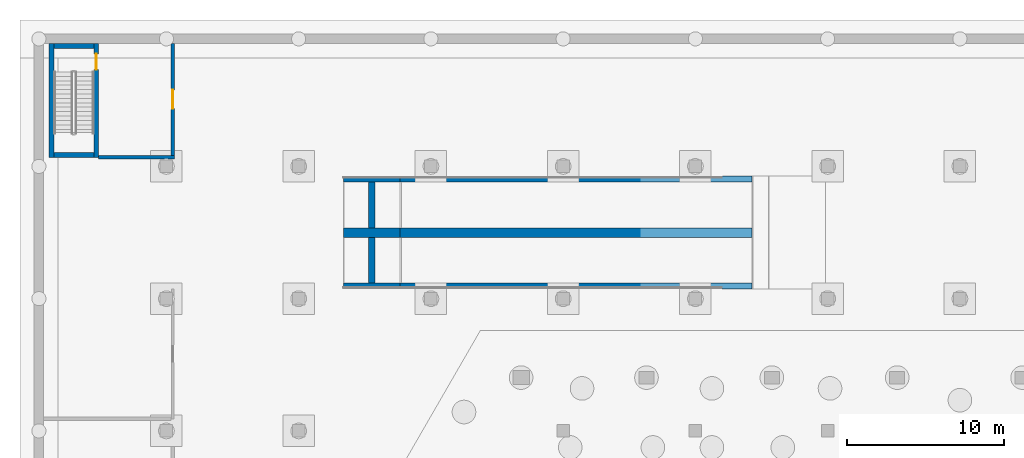
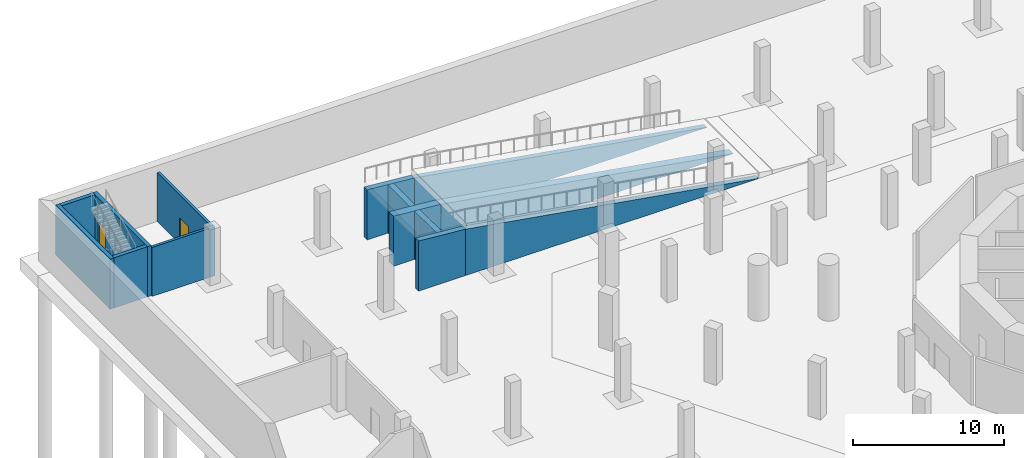
# One storey, part 12 of 23: 14 walls, 2 doors, 2 openings.
"""IFC4 building model written with IfcOpenShell, lengths in metres."""

import ifcopenshell
import ifcopenshell.guid

model = None  # the IFC model being written
_history = None  # IfcOwnerHistory: only IFC2X3 demands one
_inside = {}  # id of a spatial element -> (the spatial element, [elements in it])
_under = {}  # id of a project, library or spatial element -> (it, [spatial elements below it])
_declared = {}  # id of a project -> (the project, [libraries it declares])
_typed = {}  # id of a type object -> (the type object, [elements of that type])
_made_of = {}  # id of a material, layer set ... -> (it, [elements and type objects made of it])


def new_model(schema):
    """Start an empty IFC model of exactly this schema.

    Asked for "IFC4X3", IfcOpenShell would pick the latest addendum, in which some entities
    have other attributes; the version numbers below select the first issue.
    IFC2X3 requires an IfcOwnerHistory on every rooted entity: one is made here for all.
    """
    global model, _history
    if schema == "IFC4X3":
        model = ifcopenshell.file(schema_version=(4, 3, 0, 0))
    else:
        model = ifcopenshell.file(schema=schema)
    _inside.clear()
    _under.clear()
    _declared.clear()
    _typed.clear()
    _made_of.clear()
    _history = None
    if model.schema == "IFC2X3":
        org = make("IfcOrganization", Name="unknown")
        user = make(
            "IfcPersonAndOrganization",
            ThePerson=make("IfcPerson", FamilyName="unknown"),
            TheOrganization=org,
        )
        app = make(
            "IfcApplication",
            ApplicationDeveloper=org,
            Version="unknown",
            ApplicationFullName="unknown",
            ApplicationIdentifier="unknown",
        )
        _history = make(
            "IfcOwnerHistory",
            OwningUser=user,
            OwningApplication=app,
            ChangeAction="ADDED",
            CreationDate=0,
        )
    return model


def make(cls, **values):
    """One entity of the class cls with the attributes given. An attribute that is None is left unset."""
    return model.create_entity(
        cls, **{name: value for name, value in values.items() if value is not None}
    )


def rooted(cls, **values):
    """An entity with a GlobalId (a new one), such as an element, a storey or a relation."""
    return make(cls, GlobalId=ifcopenshell.guid.new(), OwnerHistory=_history, **values)


def si_unit(unit_type, name, prefix=None):
    """IfcSIUnit, for example si_unit("LENGTHUNIT", "METRE", prefix="MILLI")."""
    return make("IfcSIUnit", UnitType=unit_type, Prefix=prefix, Name=name)


def assignment(units):
    """IfcUnitAssignment: the units of a project."""
    return None if units is None else make("IfcUnitAssignment", Units=units)


def point(xyz):
    """IfcCartesianPoint."""
    return None if xyz is None else make("IfcCartesianPoint", Coordinates=xyz)


def direction(xyz):
    """IfcDirection."""
    return None if xyz is None else make("IfcDirection", DirectionRatios=xyz)


def frame(location, z_axis=None, x_axis=None):
    """IfcAxis2Placement3D, a coordinate frame: its origin and axes. An axis left out is left unset."""
    return make(
        "IfcAxis2Placement3D",
        Location=point(location),
        Axis=direction(z_axis),
        RefDirection=direction(x_axis),
    )


def frame_2d(location, x_axis=None):
    """IfcAxis2Placement2D, a coordinate frame in the plane: its origin and x axis."""
    return make(
        "IfcAxis2Placement2D", Location=point(location), RefDirection=direction(x_axis)
    )


def origin():
    """The frame at (0, 0, 0) with its axes left unset."""
    return frame((0.0, 0.0, 0.0))


def place(relative_to, where):
    """IfcLocalPlacement: puts the frame where relative to a parent placement (None: the world)."""
    return make(
        "IfcLocalPlacement", PlacementRelTo=relative_to, RelativePlacement=where
    )


def context(
    kind, dimensions, precision=None, world=None, true_north=None, identifier=None
):
    """IfcGeometricRepresentationContext, for example the 3D "Model" context."""
    return make(
        "IfcGeometricRepresentationContext",
        ContextIdentifier=identifier,
        ContextType=kind,
        CoordinateSpaceDimension=dimensions,
        Precision=precision,
        WorldCoordinateSystem=world,
        TrueNorth=true_north,
    )


def subcontext(parent, identifier, kind, view, scale=None):
    """IfcGeometricRepresentationSubContext, for example "Body" below "Model"."""
    return make(
        "IfcGeometricRepresentationSubContext",
        ContextIdentifier=identifier,
        ContextType=kind,
        ParentContext=parent,
        TargetScale=scale,
        TargetView=view,
    )


def project(units=None, contexts=None):
    """IfcProject with its units and contexts."""
    return rooted(
        "IfcProject",
        Name="project",
        RepresentationContexts=contexts,
        UnitsInContext=assignment(units),
    )


def spatial(cls, under=None, at=None, **own):
    """A site, building, storey or space (cls), placed at a placement, below another one or the project."""
    s = rooted(cls, ObjectPlacement=at, **own)
    if under is not None:
        _under.setdefault(under.id(), (under, []))[1].append(s)
    return s


def polyline(points):
    """IfcPolyline through the points."""
    return make("IfcPolyline", Points=[point(p) for p in points])


def profile(cls, at=None, kind="AREA", **sizes):
    """A parametric profile (cls). Its sizes go by their IFC names, for example OverallWidth=200.0."""
    return make(cls, ProfileType=kind, Position=at, **sizes)


def rectangle(**sizes):
    """IfcRectangleProfileDef."""
    return profile("IfcRectangleProfileDef", **sizes)


def outline(outer, holes=None, kind="AREA"):
    """IfcArbitraryClosedProfileDef: a profile drawn as a closed curve; with holes, ...WithVoids."""
    if holes is None:
        return make("IfcArbitraryClosedProfileDef", ProfileType=kind, OuterCurve=outer)
    return make(
        "IfcArbitraryProfileDefWithVoids",
        ProfileType=kind,
        OuterCurve=outer,
        InnerCurves=holes,
    )


def extrude(swept, where, along, depth):
    """IfcExtrudedAreaSolid: the profile swept, set in the frame where, extruded along a direction by depth."""
    return make(
        "IfcExtrudedAreaSolid",
        SweptArea=swept,
        Position=where,
        ExtrudedDirection=direction(along),
        Depth=depth,
    )


def shape(context_of_items, identifier, shape_type, items):
    """IfcShapeRepresentation: the items that make up one representation, for example the "Body"."""
    return make(
        "IfcShapeRepresentation",
        ContextOfItems=context_of_items,
        RepresentationIdentifier=identifier,
        RepresentationType=shape_type,
        Items=items,
    )


def material(Name=None, Category=None):
    """IfcMaterial."""
    return make("IfcMaterial", Name=Name, Category=Category)


def layer(
    of_material, thickness, ventilated=None, Name=None, Category=None, Priority=None
):
    """IfcMaterialLayer: one layer of a wall or slab, of a material (None: an air gap)."""
    return make(
        "IfcMaterialLayer",
        Material=of_material,
        LayerThickness=thickness,
        IsVentilated=ventilated,
        Name=Name,
        Category=Category,
        Priority=Priority,
    )


def layer_set(layers, Name=None):
    """IfcMaterialLayerSet."""
    return make("IfcMaterialLayerSet", MaterialLayers=layers, LayerSetName=Name)


def made_of(thing, what):
    """Note that an element or type object is made of a material, layer set ...; save() writes the relation."""
    if what is not None:
        _made_of.setdefault(what.id(), (what, []))[1].append(thing)
    return thing


def type_object(cls, material=None, **own):
    """A type object (cls), such as IfcWallType, which elements share."""
    return made_of(rooted(cls, **own), material)


def element(
    cls,
    number,
    at=None,
    inside=None,
    cuts=None,
    type_object=None,
    material=None,
    context=None,
    identifier="Body",
    shape_type=None,
    held_by="IfcProductDefinitionShape",
    body=None,
    shapes=None,
    **own,
):
    """One element of the class cls, such as IfcWall. Its Tag is "e" and its number.

    at: its placement. inside: the storey or other place that contains it. cuts: it is an
    opening in that element (IfcRelVoidsElement). A single representation is given by context,
    identifier, shape_type and body (its items); several are given by shapes. held_by: the class
    of the entity that holds the representations. save() writes the other relations.
    """
    e = rooted(cls, Tag="e%d" % number, ObjectPlacement=at, **own)
    if body is not None:
        shapes = [shape(context, identifier, shape_type, body)]
    if shapes is not None:
        e.Representation = make(held_by, Representations=shapes)
    if inside is not None:
        _inside.setdefault(inside.id(), (inside, []))[1].append(e)
    if cuts is not None:
        rooted(
            "IfcRelVoidsElement", RelatingBuildingElement=cuts, RelatedOpeningElement=e
        )
    if type_object is not None:
        _typed.setdefault(type_object.id(), (type_object, []))[1].append(e)
    return made_of(e, material)


def fill(opening, filler):
    """IfcRelFillsElement: the door or window that sits in an opening."""
    return rooted(
        "IfcRelFillsElement",
        RelatingOpeningElement=opening,
        RelatedBuildingElement=filler,
    )


def aggregate(whole, parts):
    """IfcRelAggregates: a whole, such as a stair, and the parts it consists of."""
    return rooted("IfcRelAggregates", RelatingObject=whole, RelatedObjects=parts)


def save(model, path):
    """Write the relations noted so far, then the file.

    IfcRelAggregates (storeys below a building ...), IfcRelContainedInSpatialStructure (elements
    in a storey), IfcRelDefinesByType, IfcRelAssociatesMaterial and IfcRelDeclares: one each for
    every whole, place, type object, material and project.
    """
    for whole, parts in _under.values():
        aggregate(whole, parts)
    for where, things in _inside.values():
        rooted(
            "IfcRelContainedInSpatialStructure",
            RelatedElements=things,
            RelatingStructure=where,
        )
    for kind, things in _typed.values():
        rooted("IfcRelDefinesByType", RelatedObjects=things, RelatingType=kind)
    for what, things in _made_of.values():
        rooted("IfcRelAssociatesMaterial", RelatedObjects=things, RelatingMaterial=what)
    for by, libraries in _declared.values():
        rooted("IfcRelDeclares", RelatingContext=by, RelatedDefinitions=libraries)
    model.write(path)


model = new_model("IFC4")

# Units and contexts
model_context = context("Model", 3, precision=1e-05, world=origin(), true_north=direction((0.0, 1.0)))
body_context = subcontext(model_context, "Body", "Model", "MODEL_VIEW")
ifc_project = project(units=[si_unit("LENGTHUNIT", "METRE"), si_unit("AREAUNIT", "SQUARE_METRE"), si_unit("VOLUMEUNIT", "CUBIC_METRE"), si_unit("PLANEANGLEUNIT", "RADIAN"), si_unit("MASSUNIT", "GRAM", prefix="KILO")], contexts=[model_context])

# Site, building, storey
site_placement = place(None, origin())
site = spatial("IfcSite", under=ifc_project, at=site_placement, CompositionType="ELEMENT")
building_placement = place(site_placement, origin())
building = spatial("IfcBuilding", under=site, at=building_placement, Name="Trine Commons Tower", CompositionType="ELEMENT")
storey_placement = place(building_placement, frame((0.0, 0.0, -9.0)))
storey = spatial("IfcBuildingStorey", under=building, at=storey_placement, Name="B2", CompositionType="ELEMENT", Elevation=-9.0)

# Wall
ifc_material_1 = material(Name="Plasterboard on steel stud", Category="steel")
ifc_layer_1 = layer(ifc_material_1, 0.199951171875)
ifc_layer_set_1 = layer_set([ifc_layer_1], Name="Plasterboard on steel stud")
wall_type_1 = type_object("IfcWallType", Name="Fire wall 200 mm, EI 120", PredefinedType="PARTITIONING", material=ifc_layer_set_1)
wall_1_placement = place(storey_placement, frame((25.2998046875, 96.679931640625, 0.0), z_axis=(0.0, 0.0, 1.0), x_axis=(1.0, 0.0, 0.0)))
element("IfcWall", 1, at=wall_1_placement, inside=storey, type_object=wall_type_1, Name="Partition B2007", PredefinedType="PARTITIONING", context=body_context, shape_type="SweptSolid", body=[
    extrude(rectangle(XDim=4.80029296875, YDim=0.199951171875, at=frame_2d((2.400146484375, 0.0))), origin(), (0.0, 0.0, 1.0), 3.949951171875),
])

# Wall, opening, door
wall_2_placement = place(storey_placement, frame((30.0, 103.89990234375, 0.0), z_axis=(0.0, 0.0, 1.0), x_axis=(0.0, -1.0, 0.0)))
wall_2 = element("IfcWall", 2, at=wall_2_placement, inside=storey, type_object=wall_type_1, Name="Partition B2013", PredefinedType="PARTITIONING", context=body_context, shape_type="SweptSolid", body=[
    extrude(rectangle(XDim=7.119873046875, YDim=0.199951171875, at=frame_2d((3.56005859375, 0.0))), origin(), (0.0, 0.0, 1.0), 3.949951171875),
])
opening_1_placement = place(wall_2_placement, frame((2.93505859375, 0.0, 0.0)))
opening_1 = element("IfcOpeningElement", 3, at=opening_1_placement, cuts=wall_2, Name="Opening D-B207", PredefinedType="OPENING", context=body_context, shape_type="SweptSolid", body=[
    extrude(rectangle(XDim=1.199951171875, YDim=2.10009765625, at=frame_2d((0.60009765625, 1.050048828125))), frame((0.0, 0.10986328125, 0.0), z_axis=(0.0, -1.0, 0.0), x_axis=(1.0, 0.0, 0.0)), (0.0, 0.0, 1.0), 0.219970703125),
])
ifc_material_2 = material(Name="Timber fire door set", Category="wood")
door_type_1 = type_object("IfcDoorType", Name="Single swing door 1200x2100, FD60", OperationType="SINGLE_SWING_LEFT", PredefinedType="DOOR", material=ifc_material_2)
door_1_placement = place(opening_1_placement, origin())
door_1 = element("IfcDoor", 4, at=door_1_placement, inside=storey, type_object=door_type_1, Name="Door D-B207", OperationType="SINGLE_SWING_LEFT", OverallHeight=2.10009765625, OverallWidth=1.199951171875, PredefinedType="DOOR", context=body_context, shape_type="SweptSolid", body=[
    extrude(rectangle(XDim=1.199951171875, YDim=2.10009765625, at=frame_2d((0.60009765625, 1.050048828125))), frame((0.0, 0.02490234375, 0.0), z_axis=(0.0, -1.0, 0.0), x_axis=(1.0, 0.0, 0.0)), (0.0, 0.0, 1.0), 0.050048828125),
])
fill(opening_1, door_1)

# Walls
ifc_material_3 = material(Name="Concrete C40/50", Category="concrete")
ifc_layer_2 = layer(ifc_material_3, 0.60009765625)
ifc_layer_set_2 = layer_set([ifc_layer_2], Name="Concrete C40/50")
wall_type_2 = type_object("IfcWallType", Name="RC ramp spine wall 600 mm, C40/50", PredefinedType="SOLIDWALL", material=ifc_layer_set_2)
wall_3_placement = place(storey_placement, frame((40.85009765625, 91.89990234375, 0.0), z_axis=(0.0, 0.0, 1.0), x_axis=(1.0, 0.0, 0.0)))
element("IfcWall", 5, at=wall_3_placement, inside=storey, type_object=wall_type_2, Name="R2 ramp wall 1C", PredefinedType="SOLIDWALL", context=body_context, shape_type="SweptSolid", body=[
    extrude(outline(polyline([(0.0, 0.0), (3.599853515625, 0.0), (3.60009765625, 3.748291015625), (0.0, 4.04833984375), (0.0, 0.0)])), frame((0.0, 0.300048828125, 0.0), z_axis=(0.0, -1.0, 0.0), x_axis=(1.0, 0.0, 0.0)), (0.0, 0.0, 1.0), 0.60009765625),
])
wall_4_placement = place(storey_placement, frame((44.449951171875, 91.89990234375, 0.0), z_axis=(0.0, 0.0, 1.0), x_axis=(1.0, 0.0, 0.0)))
element("IfcWall", 6, at=wall_4_placement, inside=storey, type_object=wall_type_2, Name="R2 ramp wall 2C", PredefinedType="SOLIDWALL", context=body_context, shape_type="SweptSolid", body=[
    extrude(outline(polyline([(0.0, 0.0), (22.343017578125, 0.0), (22.343017578125, 0.02001953125), (0.0, 3.743896484375), (0.0, 0.0)])), frame((0.0, 0.300048828125, 0.0), z_axis=(0.0, -1.0, 0.0), x_axis=(1.0, 0.0, 0.0)), (0.0, 0.0, 1.0), 0.60009765625),
])
ifc_layer_3 = layer(ifc_material_3, 0.39990234375)
ifc_layer_set_3 = layer_set([ifc_layer_3], Name="Concrete C40/50")
wall_type_3 = type_object("IfcWallType", Name="RC ramp wall 400 mm, C40/50", PredefinedType="SOLIDWALL", material=ifc_layer_set_3)
for number, where, z_axis, x_axis, name in (
    (7, (40.85009765625, 88.5, 0.0), (0.0, 0.0, 1.0), (1.0, 0.0, 0.0), "R2 ramp wall 1W"),
    (8, (40.85009765625, 95.300048828125, 0.0), (0.0, 0.0, 1.0), (1.0, 0.0, 0.0), "R2 ramp wall 1E"),
):
    element("IfcWall", number, at=place(storey_placement, frame(where, z_axis=z_axis, x_axis=x_axis)), inside=storey, type_object=wall_type_3, Name=name, PredefinedType="SOLIDWALL", context=body_context, shape_type="SweptSolid", body=[
        extrude(outline(polyline([(0.0, 0.0), (3.599853515625, 0.0), (3.60009765625, 3.748291015625), (0.0, 4.04833984375), (0.0, 0.0)])), frame((0.0, 0.199951171875, 0.0), z_axis=(0.0, -1.0, 0.0), x_axis=(1.0, 0.0, 0.0)), (0.0, 0.0, 1.0), 0.39990234375),
    ])
for number, where, z_axis, x_axis, name in (
    (9, (42.64990234375, 88.699951171875, 0.0), (0.0, 0.0, 1.0), (0.0, 1.0, 0.0), "R2 ramp cross wall 1X1"),
    (10, (42.64990234375, 92.199951171875, 0.0), (0.0, 0.0, 1.0), (0.0, 1.0, 0.0), "R2 ramp cross wall 1X2"),
):
    element("IfcWall", number, at=place(storey_placement, frame(where, z_axis=z_axis, x_axis=x_axis)), inside=storey, type_object=wall_type_3, Name=name, PredefinedType="SOLIDWALL", context=body_context, shape_type="SweptSolid", body=[
        extrude(rectangle(XDim=2.900146484375, YDim=0.39990234375, at=frame_2d((1.4501953125, 0.0))), origin(), (0.0, 0.0, 1.0), 3.8984375),
    ])
for number, where, z_axis, x_axis, name in (
    (11, (44.449951171875, 88.5, 0.0), (0.0, 0.0, 1.0), (1.0, 0.0, 0.0), "R2 ramp wall 2W"),
    (12, (44.449951171875, 95.300048828125, 0.0), (0.0, 0.0, 1.0), (1.0, 0.0, 0.0), "R2 ramp wall 2E"),
):
    element("IfcWall", number, at=place(storey_placement, frame(where, z_axis=z_axis, x_axis=x_axis)), inside=storey, type_object=wall_type_3, Name=name, PredefinedType="SOLIDWALL", context=body_context, shape_type="SweptSolid", body=[
        extrude(outline(polyline([(0.0, 0.0), (22.343017578125, 0.0), (22.343017578125, 0.02001953125), (0.0, 3.743896484375), (0.0, 0.0)])), frame((0.0, 0.199951171875, 0.0), z_axis=(0.0, -1.0, 0.0), x_axis=(1.0, 0.0, 0.0)), (0.0, 0.0, 1.0), 0.39990234375),
    ])
ifc_layer_4 = layer(ifc_material_3, 0.300048828125)
ifc_layer_set_4 = layer_set([ifc_layer_4], Name="Concrete C40/50")
wall_type_4 = type_object("IfcWallType", Name="RC stair enclosure wall 300 mm, C40/50", PredefinedType="SHEAR", material=ifc_layer_set_4)
wall_5_placement = place(storey_placement, frame((22.300048828125, 103.89990234375, 0.0), z_axis=(0.0, 0.0, 1.0), x_axis=(0.0, -1.0, 0.0)))
element("IfcWall", 13, at=wall_5_placement, inside=storey, type_object=wall_type_4, Name="Stair STB3 enclosure wall B2", PredefinedType="SHEAR", context=body_context, shape_type="SweptSolid", body=[
    extrude(rectangle(XDim=7.219970703125, YDim=0.300048828125, at=frame_2d((3.60986328125, 0.0))), origin(), (0.0, 0.0, 1.0), 4.050048828125),
])

# Wall, opening, door
wall_6_placement = place(storey_placement, frame((25.14990234375, 103.89990234375, 0.0), z_axis=(0.0, 0.0, 1.0), x_axis=(0.0, -1.0, 0.0)))
wall_6 = element("IfcWall", 14, at=wall_6_placement, inside=storey, type_object=wall_type_4, Name="Stair STB3 enclosure wall B2", PredefinedType="SHEAR", context=body_context, shape_type="SweptSolid", body=[
    extrude(rectangle(XDim=7.219970703125, YDim=0.300048828125, at=frame_2d((3.60986328125, 0.0))), origin(), (0.0, 0.0, 1.0), 4.050048828125),
])
opening_2_placement = place(wall_6_placement, frame((0.64990234375, 0.0, 0.0)))
opening_2 = element("IfcOpeningElement", 15, at=opening_2_placement, cuts=wall_6, Name="Opening D-S07", PredefinedType="OPENING", context=body_context, shape_type="SweptSolid", body=[
    extrude(rectangle(XDim=1.0, YDim=2.10009765625, at=frame_2d((0.5, 1.050048828125))), frame((0.0, 0.159912109375, 0.0), z_axis=(0.0, -1.0, 0.0), x_axis=(1.0, 0.0, 0.0)), (0.0, 0.0, 1.0), 0.320068359375),
])
ifc_material_4 = material(Name="Steel fire door FD90S", Category="steel")
door_type_2 = type_object("IfcDoorType", Name="Fire door 1000 x 2100, FD90S", OperationType="SINGLE_SWING_LEFT", PredefinedType="DOOR", material=ifc_material_4)
door_2_placement = place(opening_2_placement, origin())
door_2 = element("IfcDoor", 16, at=door_2_placement, inside=storey, type_object=door_type_2, Name="Stair STB3 door B2", OperationType="SINGLE_SWING_LEFT", OverallHeight=2.10009765625, OverallWidth=1.0, PredefinedType="DOOR", context=body_context, shape_type="SweptSolid", body=[
    extrude(rectangle(XDim=1.0, YDim=2.10009765625, at=frame_2d((0.5, 1.050048828125))), frame((0.0, 0.02490234375, 0.0), z_axis=(0.0, -1.0, 0.0), x_axis=(1.0, 0.0, 0.0)), (0.0, 0.0, 1.0), 0.050048828125),
])
fill(opening_2, door_2)

# Walls
for number, where, z_axis, x_axis, name in (
    (17, (22.449951171875, 103.75, 0.0), (0.0, 0.0, 1.0), (1.0, 0.0, 0.0), "Stair STB3 enclosure wall B2"),
    (18, (22.449951171875, 96.830078125, 0.0), (0.0, 0.0, 1.0), (1.0, 0.0, 0.0), "Stair STB3 enclosure wall B2"),
):
    element("IfcWall", number, at=place(storey_placement, frame(where, z_axis=z_axis, x_axis=x_axis)), inside=storey, type_object=wall_type_4, Name=name, PredefinedType="SHEAR", context=body_context, shape_type="SweptSolid", body=[
        extrude(rectangle(XDim=2.550048828125, YDim=0.300048828125, at=frame_2d((1.27490234375, 0.0))), origin(), (0.0, 0.0, 1.0), 4.050048828125),
    ])

save(model, "model.ifc")
